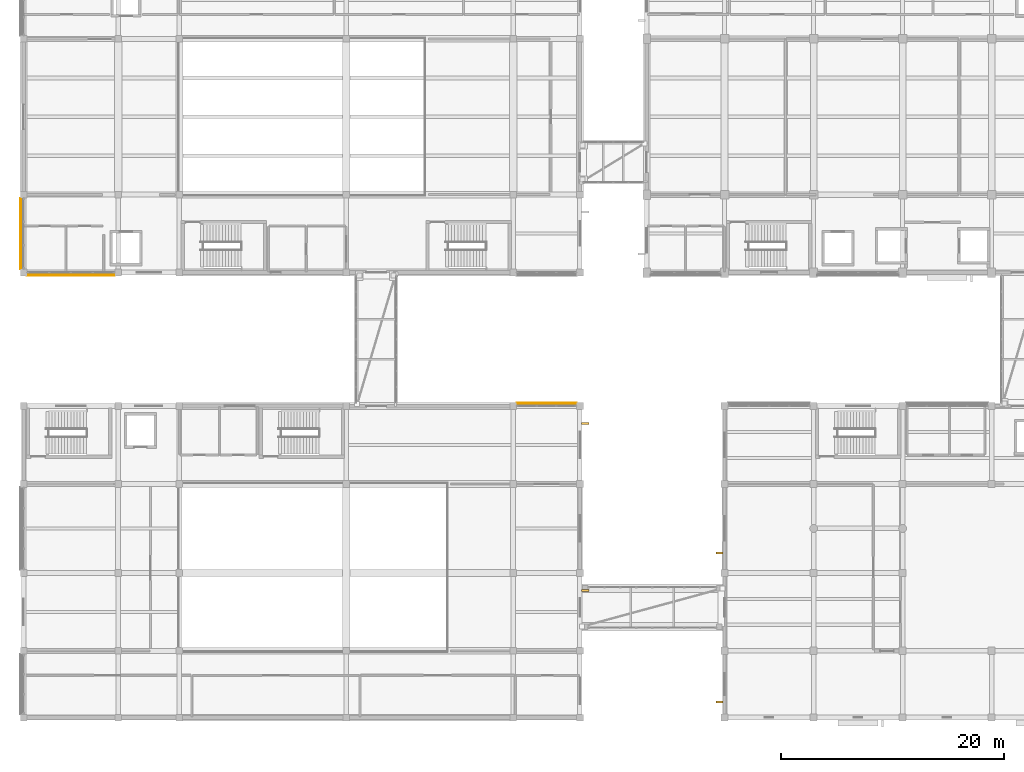
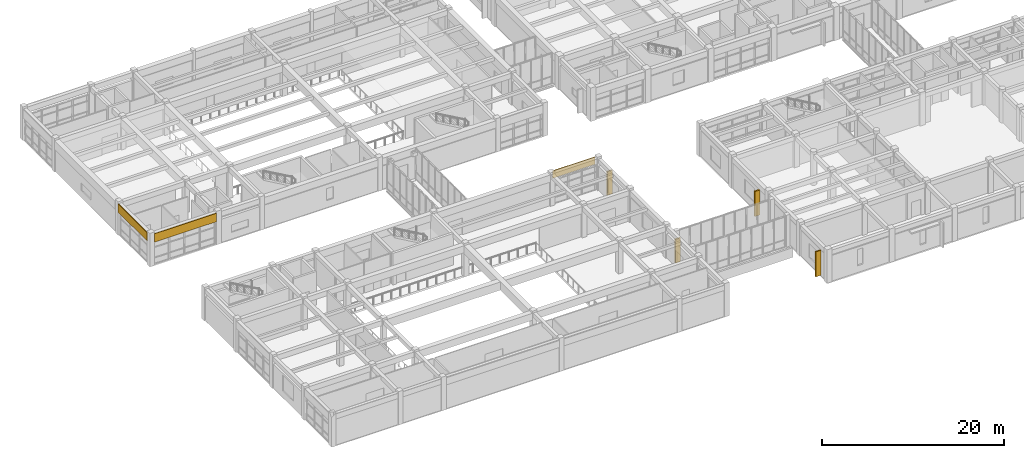
# One storey, part 62 of 72: 4 shading devices, 3 coverings.
"""IFC4 building model written with IfcOpenShell, lengths in metres."""

from ifc_helpers import new_model, si_unit, direction, frame, origin, origin_2d, place, context, subcontext, project, spatial, rectangle, extrude, material, layer, layer_set, type_object, element, save


model = new_model("IFC4")

# Units and contexts
model_context = context("Model", 3, precision=1e-05, world=origin(), true_north=direction((0.0, 1.0)))
body_context = subcontext(model_context, "Body", "Model", "MODEL_VIEW")
ifc_project = project(units=[si_unit("LENGTHUNIT", "METRE"), si_unit("AREAUNIT", "SQUARE_METRE"), si_unit("VOLUMEUNIT", "CUBIC_METRE"), si_unit("PLANEANGLEUNIT", "RADIAN"), si_unit("MASSUNIT", "GRAM", prefix="KILO")], contexts=[model_context])

# Site, building, storey
site_placement = place(None, origin())
site = spatial("IfcSite", under=ifc_project, at=site_placement, CompositionType="ELEMENT")
building_placement = place(site_placement, origin())
building = spatial("IfcBuilding", under=site, at=building_placement, Name="Naurynzar Civic Courthouse", CompositionType="ELEMENT")
storey_placement = place(building_placement, frame((0.0, 0.0, 9.89990234375)))
storey = spatial("IfcBuildingStorey", under=building, at=storey_placement, Name="L03", CompositionType="ELEMENT", Elevation=9.89990234375)

# Coverings
ifc_material_1 = material(Name="Precast concrete C40/50", Category="concrete")
ifc_layer = layer(ifc_material_1, 0.080078125)
ifc_layer_set = layer_set([ifc_layer], Name="COV-CLAD-PRECAST-80")
covering_type = type_object("IfcCoveringType", Name="COV-CLAD-PRECAST-80", PredefinedType="CLADDING", material=ifc_layer_set)
covering_1_placement = place(storey_placement, frame((5.7451171875, 47.5, 3.110107421875), z_axis=(0.0, 0.0, 1.0), x_axis=(0.0, 1.0, 0.0)))
element("IfcCovering", 1, at=covering_1_placement, inside=storey, type_object=covering_type, Name="V1 precast spandrel cladding 7", PredefinedType="CLADDING", context=body_context, shape_type="SweptSolid", body=[
    extrude(rectangle(XDim=6.39990234375, YDim=0.080078125, at=origin_2d()), origin(), (0.0, 0.0, 1.0), 1.1298828125),
])
covering_2_placement = place(storey_placement, frame((10.25, 43.7451171875, 3.110107421875), z_axis=(0.0, 0.0, 1.0), x_axis=(-1.0, 0.0, 0.0)))
element("IfcCovering", 2, at=covering_2_placement, inside=storey, type_object=covering_type, Name="V1 precast spandrel cladding 12", PredefinedType="CLADDING", context=body_context, shape_type="SweptSolid", body=[
    extrude(rectangle(XDim=7.89990234375, YDim=0.080078125, at=origin_2d()), origin(), (0.0, 0.0, 1.0), 1.1298828125),
])
covering_3_placement = place(storey_placement, frame((53.0, 32.2548828125, 3.260009765625), z_axis=(0.0, 0.0, 1.0), x_axis=(1.0, 0.0, 0.0)))
element("IfcCovering", 3, at=covering_3_placement, inside=storey, type_object=covering_type, Name="V4 precast spandrel cladding 79", PredefinedType="CLADDING", context=body_context, shape_type="SweptSolid", body=[
    extrude(rectangle(XDim=5.39990234375, YDim=0.080078125, at=origin_2d()), origin(), (0.0, 0.0, 1.0), 0.97998046875),
])

# Shading devices
ifc_material_2 = material(Name="Precast concrete C40/50", Category="concrete")
shading_device_type = type_object("IfcShadingDeviceType", Name="SHD-FIN-V650", PredefinedType="JALOUSIE", material=ifc_material_2)
for number, where, z_axis, x_axis, name in (
    (4, (68.550048828125, 5.39501953125, 0.0400390625), (0.0, 0.0, 1.0), (0.0, 1.0, 0.0), "V3 vertical brise-soleil fin 40"),
    (5, (68.550048828125, 18.794921875, 0.0400390625), (0.0, 0.0, 1.0), (0.0, 1.0, 0.0), "V3 vertical brise-soleil fin 41"),
):
    element("IfcShadingDevice", number, at=place(storey_placement, frame(where, z_axis=z_axis, x_axis=x_axis)), inside=storey, type_object=shading_device_type, Name=name, PredefinedType="JALOUSIE", context=body_context, shape_type="SweptSolid", body=[
        extrude(rectangle(XDim=0.179931640625, YDim=0.64990234375, at=origin_2d()), origin(), (0.0, 0.0, 1.0), 3.360107421875),
    ])
for number, where, z_axis, x_axis, name in (
    (6, (56.47998046875, 30.419921875, 0.0400390625), (0.0, 0.0, 1.0), (0.0, -1.0, 0.0), "V4 vertical brise-soleil fin 66"),
    (7, (56.47998046875, 15.419921875, 0.0400390625), (0.0, 0.0, 1.0), (0.0, -1.0, 0.0), "V4 vertical brise-soleil fin 67"),
):
    element("IfcShadingDevice", number, at=place(storey_placement, frame(where, z_axis=z_axis, x_axis=x_axis)), inside=storey, type_object=shading_device_type, Name=name, PredefinedType="JALOUSIE", context=body_context, shape_type="SweptSolid", body=[
        extrude(rectangle(XDim=0.179931640625, YDim=0.64990234375, at=origin_2d()), origin(), (0.0, 0.0, 1.0), 3.179931640625),
    ])

save(model, "model.ifc")
